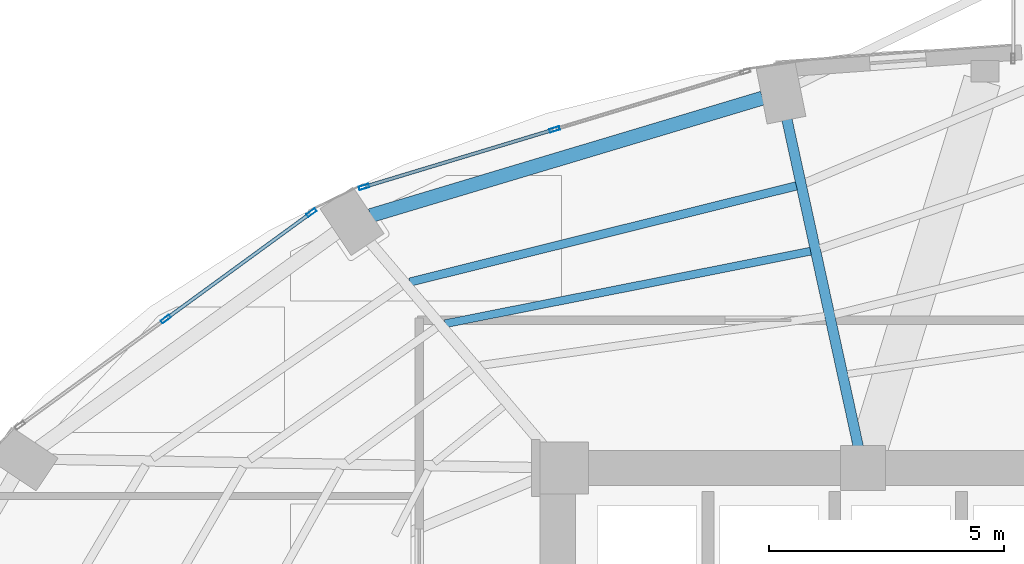
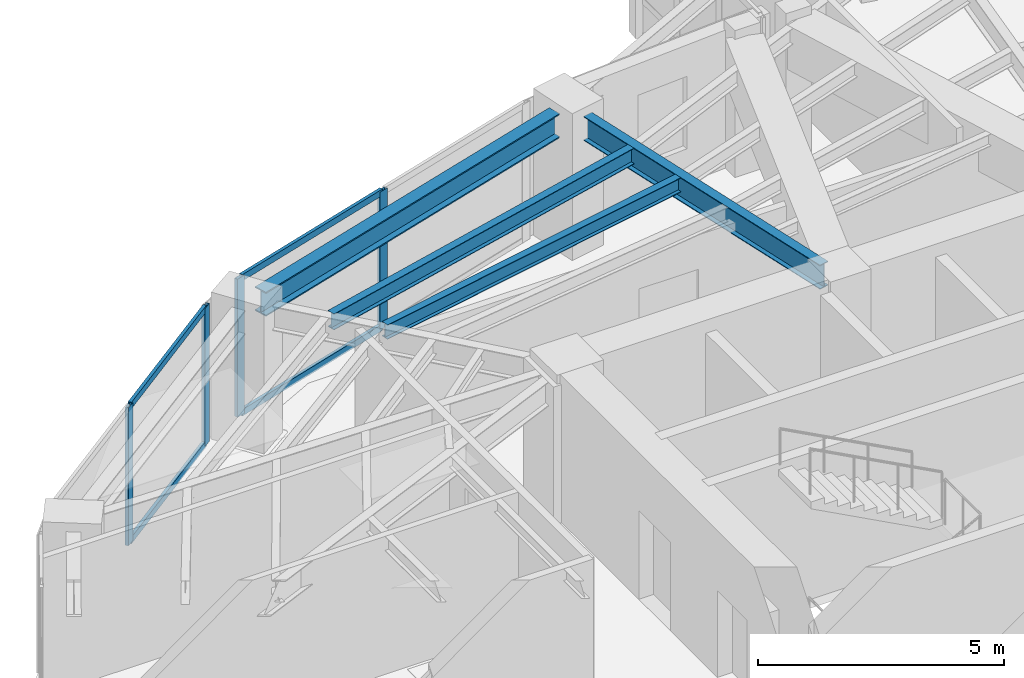
# One storey, part 14 of 24: 8 members, 4 beams, 2 elements without a shape of their own.
"""IFC4 building model written with IfcOpenShell, lengths in metres."""

import ifcopenshell
import ifcopenshell.guid

model = None  # the IFC model being written
_history = None  # IfcOwnerHistory: only IFC2X3 demands one
_inside = {}  # id of a spatial element -> (the spatial element, [elements in it])
_under = {}  # id of a project, library or spatial element -> (it, [spatial elements below it])
_declared = {}  # id of a project -> (the project, [libraries it declares])
_typed = {}  # id of a type object -> (the type object, [elements of that type])
_made_of = {}  # id of a material, layer set ... -> (it, [elements and type objects made of it])


def new_model(schema):
    """Start an empty IFC model of exactly this schema.

    Asked for "IFC4X3", IfcOpenShell would pick the latest addendum, in which some entities
    have other attributes; the version numbers below select the first issue.
    IFC2X3 requires an IfcOwnerHistory on every rooted entity: one is made here for all.
    """
    global model, _history
    if schema == "IFC4X3":
        model = ifcopenshell.file(schema_version=(4, 3, 0, 0))
    else:
        model = ifcopenshell.file(schema=schema)
    _inside.clear()
    _under.clear()
    _declared.clear()
    _typed.clear()
    _made_of.clear()
    _history = None
    if model.schema == "IFC2X3":
        org = make("IfcOrganization", Name="unknown")
        user = make(
            "IfcPersonAndOrganization",
            ThePerson=make("IfcPerson", FamilyName="unknown"),
            TheOrganization=org,
        )
        app = make(
            "IfcApplication",
            ApplicationDeveloper=org,
            Version="unknown",
            ApplicationFullName="unknown",
            ApplicationIdentifier="unknown",
        )
        _history = make(
            "IfcOwnerHistory",
            OwningUser=user,
            OwningApplication=app,
            ChangeAction="ADDED",
            CreationDate=0,
        )
    return model


def make(cls, **values):
    """One entity of the class cls with the attributes given. An attribute that is None is left unset."""
    return model.create_entity(
        cls, **{name: value for name, value in values.items() if value is not None}
    )


def rooted(cls, **values):
    """An entity with a GlobalId (a new one), such as an element, a storey or a relation."""
    return make(cls, GlobalId=ifcopenshell.guid.new(), OwnerHistory=_history, **values)


def si_unit(unit_type, name, prefix=None):
    """IfcSIUnit, for example si_unit("LENGTHUNIT", "METRE", prefix="MILLI")."""
    return make("IfcSIUnit", UnitType=unit_type, Prefix=prefix, Name=name)


def assignment(units):
    """IfcUnitAssignment: the units of a project."""
    return None if units is None else make("IfcUnitAssignment", Units=units)


def point(xyz):
    """IfcCartesianPoint."""
    return None if xyz is None else make("IfcCartesianPoint", Coordinates=xyz)


def direction(xyz):
    """IfcDirection."""
    return None if xyz is None else make("IfcDirection", DirectionRatios=xyz)


def frame(location, z_axis=None, x_axis=None):
    """IfcAxis2Placement3D, a coordinate frame: its origin and axes. An axis left out is left unset."""
    return make(
        "IfcAxis2Placement3D",
        Location=point(location),
        Axis=direction(z_axis),
        RefDirection=direction(x_axis),
    )


def frame_2d(location, x_axis=None):
    """IfcAxis2Placement2D, a coordinate frame in the plane: its origin and x axis."""
    return make(
        "IfcAxis2Placement2D", Location=point(location), RefDirection=direction(x_axis)
    )


def origin():
    """The frame at (0, 0, 0) with its axes left unset."""
    return frame((0.0, 0.0, 0.0))


def origin_2d():
    """The frame at (0, 0) in the plane with its x axis left unset."""
    return frame_2d((0.0, 0.0))


def place(relative_to, where):
    """IfcLocalPlacement: puts the frame where relative to a parent placement (None: the world)."""
    return make(
        "IfcLocalPlacement", PlacementRelTo=relative_to, RelativePlacement=where
    )


def context(
    kind, dimensions, precision=None, world=None, true_north=None, identifier=None
):
    """IfcGeometricRepresentationContext, for example the 3D "Model" context."""
    return make(
        "IfcGeometricRepresentationContext",
        ContextIdentifier=identifier,
        ContextType=kind,
        CoordinateSpaceDimension=dimensions,
        Precision=precision,
        WorldCoordinateSystem=world,
        TrueNorth=true_north,
    )


def subcontext(parent, identifier, kind, view, scale=None):
    """IfcGeometricRepresentationSubContext, for example "Body" below "Model"."""
    return make(
        "IfcGeometricRepresentationSubContext",
        ContextIdentifier=identifier,
        ContextType=kind,
        ParentContext=parent,
        TargetScale=scale,
        TargetView=view,
    )


def project(units=None, contexts=None):
    """IfcProject with its units and contexts."""
    return rooted(
        "IfcProject",
        Name="project",
        RepresentationContexts=contexts,
        UnitsInContext=assignment(units),
    )


def spatial(cls, under=None, at=None, **own):
    """A site, building, storey or space (cls), placed at a placement, below another one or the project."""
    s = rooted(cls, ObjectPlacement=at, **own)
    if under is not None:
        _under.setdefault(under.id(), (under, []))[1].append(s)
    return s


def profile(cls, at=None, kind="AREA", **sizes):
    """A parametric profile (cls). Its sizes go by their IFC names, for example OverallWidth=200.0."""
    return make(cls, ProfileType=kind, Position=at, **sizes)


def hollow_rectangle(**sizes):
    """IfcRectangleHollowProfileDef."""
    return profile("IfcRectangleHollowProfileDef", **sizes)


def i_section(**sizes):
    """IfcIShapeProfileDef."""
    return profile("IfcIShapeProfileDef", **sizes)


def extrude(swept, where, along, depth):
    """IfcExtrudedAreaSolid: the profile swept, set in the frame where, extruded along a direction by depth."""
    return make(
        "IfcExtrudedAreaSolid",
        SweptArea=swept,
        Position=where,
        ExtrudedDirection=direction(along),
        Depth=depth,
    )


def shape(context_of_items, identifier, shape_type, items):
    """IfcShapeRepresentation: the items that make up one representation, for example the "Body"."""
    return make(
        "IfcShapeRepresentation",
        ContextOfItems=context_of_items,
        RepresentationIdentifier=identifier,
        RepresentationType=shape_type,
        Items=items,
    )


def material(Name=None, Category=None):
    """IfcMaterial."""
    return make("IfcMaterial", Name=Name, Category=Category)


def layer(
    of_material, thickness, ventilated=None, Name=None, Category=None, Priority=None
):
    """IfcMaterialLayer: one layer of a wall or slab, of a material (None: an air gap)."""
    return make(
        "IfcMaterialLayer",
        Material=of_material,
        LayerThickness=thickness,
        IsVentilated=ventilated,
        Name=Name,
        Category=Category,
        Priority=Priority,
    )


def layer_set(layers, Name=None):
    """IfcMaterialLayerSet."""
    return make("IfcMaterialLayerSet", MaterialLayers=layers, LayerSetName=Name)


def material_profile(
    of_material, cross_section, Name=None, Category=None, Priority=None
):
    """IfcMaterialProfile: a cross section and its material."""
    return make(
        "IfcMaterialProfile",
        Name=Name,
        Material=of_material,
        Profile=cross_section,
        Priority=Priority,
        Category=Category,
    )


def profile_set(profiles, Name=None, composite=None):
    """IfcMaterialProfileSet."""
    return make(
        "IfcMaterialProfileSet",
        Name=Name,
        MaterialProfiles=profiles,
        CompositeProfile=composite,
    )


def made_of(thing, what):
    """Note that an element or type object is made of a material, layer set ...; save() writes the relation."""
    if what is not None:
        _made_of.setdefault(what.id(), (what, []))[1].append(thing)
    return thing


def type_object(cls, material=None, **own):
    """A type object (cls), such as IfcWallType, which elements share."""
    return made_of(rooted(cls, **own), material)


def element(
    cls,
    number,
    at=None,
    inside=None,
    cuts=None,
    type_object=None,
    material=None,
    context=None,
    identifier="Body",
    shape_type=None,
    held_by="IfcProductDefinitionShape",
    body=None,
    shapes=None,
    **own,
):
    """One element of the class cls, such as IfcWall. Its Tag is "e" and its number.

    at: its placement. inside: the storey or other place that contains it. cuts: it is an
    opening in that element (IfcRelVoidsElement). A single representation is given by context,
    identifier, shape_type and body (its items); several are given by shapes. held_by: the class
    of the entity that holds the representations. save() writes the other relations.
    """
    e = rooted(cls, Tag="e%d" % number, ObjectPlacement=at, **own)
    if body is not None:
        shapes = [shape(context, identifier, shape_type, body)]
    if shapes is not None:
        e.Representation = make(held_by, Representations=shapes)
    if inside is not None:
        _inside.setdefault(inside.id(), (inside, []))[1].append(e)
    if cuts is not None:
        rooted(
            "IfcRelVoidsElement", RelatingBuildingElement=cuts, RelatedOpeningElement=e
        )
    if type_object is not None:
        _typed.setdefault(type_object.id(), (type_object, []))[1].append(e)
    return made_of(e, material)


def aggregate(whole, parts):
    """IfcRelAggregates: a whole, such as a stair, and the parts it consists of."""
    return rooted("IfcRelAggregates", RelatingObject=whole, RelatedObjects=parts)


def save(model, path):
    """Write the relations noted so far, then the file.

    IfcRelAggregates (storeys below a building ...), IfcRelContainedInSpatialStructure (elements
    in a storey), IfcRelDefinesByType, IfcRelAssociatesMaterial and IfcRelDeclares: one each for
    every whole, place, type object, material and project.
    """
    for whole, parts in _under.values():
        aggregate(whole, parts)
    for where, things in _inside.values():
        rooted(
            "IfcRelContainedInSpatialStructure",
            RelatedElements=things,
            RelatingStructure=where,
        )
    for kind, things in _typed.values():
        rooted("IfcRelDefinesByType", RelatedObjects=things, RelatingType=kind)
    for what, things in _made_of.values():
        rooted("IfcRelAssociatesMaterial", RelatedObjects=things, RelatingMaterial=what)
    for by, libraries in _declared.values():
        rooted("IfcRelDeclares", RelatingContext=by, RelatedDefinitions=libraries)
    model.write(path)


model = new_model("IFC4")

# Units and contexts
model_context = context("Model", 3, precision=1e-05, world=origin(), true_north=direction((0.0, 1.0)))
body_context = subcontext(model_context, "Body", "Model", "MODEL_VIEW")
ifc_project = project(units=[si_unit("LENGTHUNIT", "METRE"), si_unit("AREAUNIT", "SQUARE_METRE"), si_unit("VOLUMEUNIT", "CUBIC_METRE"), si_unit("PLANEANGLEUNIT", "RADIAN"), si_unit("MASSUNIT", "GRAM", prefix="KILO")], contexts=[model_context])

# Site, building, storey
site_placement = place(None, origin())
site = spatial("IfcSite", under=ifc_project, at=site_placement, CompositionType="ELEMENT")
building_placement = place(site_placement, origin())
building = spatial("IfcBuilding", under=site, at=building_placement, Name="Lazwardi Medical Tower", CompositionType="ELEMENT")
storey_placement = place(building_placement, frame((0.0, 0.0, 99.98388671875)))
storey = spatial("IfcBuildingStorey", under=building, at=storey_placement, Name="L25", CompositionType="ELEMENT", Elevation=99.98388671875)

# Beams
ifc_material_1 = material(Name="Steel S355", Category="steel")
ifc_material_profile_1 = material_profile(ifc_material_1, i_section(OverallWidth=0.300048828125, OverallDepth=0.60009765625, WebThickness=0.015380859375, FlangeThickness=0.030029296875, at=origin_2d()), Name="HEB 600")
ifc_profile_set_1 = profile_set([ifc_material_profile_1], Name="Steel S355")
beam_type_1 = type_object("IfcBeamType", Name="BM-RB-Z2", PredefinedType="BEAM", material=ifc_profile_set_1)
beam_1_placement = place(storey_placement, frame((30.661865234375, 43.4794921875, 3.128173828125), z_axis=(-0.957879438442, -0.287170648587, 0.0), x_axis=(0.287170648587, -0.957879438442, 0.0)))
element("IfcBeam", 1, at=beam_1_placement, inside=storey, type_object=beam_type_1, Name="Ring beam RB-03 B09 L25", PredefinedType="BEAM", context=body_context, shape_type="SweptSolid", body=[
    extrude(i_section(OverallWidth=0.300048828125, OverallDepth=0.60009765625, WebThickness=0.015380859375, FlangeThickness=0.030029296875, at=origin_2d()), origin(), (0.0, 0.0, 1.0), 8.719970703125),
])
ifc_material_profile_2 = material_profile(ifc_material_1, i_section(OverallWidth=0.219970703125, OverallDepth=0.60009765625, WebThickness=0.011962890625, FlangeThickness=0.01904296875, at=origin_2d()), Name="IPE 600")
ifc_profile_set_2 = profile_set([ifc_material_profile_2], Name="Steel S355")
beam_type_2 = type_object("IfcBeamType", Name="BM-RG-W1", PredefinedType="BEAM", material=ifc_profile_set_2)
beam_2_placement = place(storey_placement, frame((31.17822265625, 43.03076171875, 3.128173828125), z_axis=(0.213228150441, -0.977002433907, 0.0), x_axis=(0.977002433907, 0.213228150441, 0.0)))
element("IfcBeam", 2, at=beam_2_placement, inside=storey, type_object=beam_type_2, Name="Radial girder RG-02 R09 L25", PredefinedType="BEAM", context=body_context, shape_type="SweptSolid", body=[
    extrude(i_section(OverallWidth=0.219970703125, OverallDepth=0.60009765625, WebThickness=0.011962890625, FlangeThickness=0.01904296875, at=origin_2d()), origin(), (0.0, 0.0, 1.0), 7.145751953125),
])
ifc_material_profile_3 = material_profile(ifc_material_1, i_section(OverallWidth=0.179931640625, OverallDepth=0.39990234375, WebThickness=0.008544921875, FlangeThickness=0.013427734375, at=origin_2d()), Name="IPE 400")
ifc_profile_set_3 = profile_set([ifc_material_profile_3], Name="Steel S355")
beam_type_3 = type_object("IfcBeamType", Name="BM-SJ-01", PredefinedType="JOIST", material=ifc_profile_set_3)
beam_3_placement = place(storey_placement, frame((31.381103515625, 41.609130859375, 3.22802734375), z_axis=(-0.970400881943, -0.241499748081, 0.0), x_axis=(0.241499748081, -0.970400881943, 0.0)))
element("IfcBeam", 3, at=beam_3_placement, inside=storey, type_object=beam_type_3, Name="Secondary joist SJ-01 R1 B09 L25", PredefinedType="JOIST", context=body_context, shape_type="SweptSolid", body=[
    extrude(i_section(OverallWidth=0.179931640625, OverallDepth=0.39990234375, WebThickness=0.008544921875, FlangeThickness=0.013427734375, at=origin_2d()), origin(), (0.0, 0.0, 1.0), 8.48583984375),
])
ifc_material_profile_4 = material_profile(ifc_material_1, i_section(OverallWidth=0.169921875, OverallDepth=0.360107421875, WebThickness=0.008056640625, FlangeThickness=0.0126953125, at=origin_2d()), Name="IPE 360")
ifc_profile_set_4 = profile_set([ifc_material_profile_4], Name="Steel S355")
beam_type_4 = type_object("IfcBeamType", Name="BM-SJ-02", PredefinedType="JOIST", material=ifc_profile_set_4)
beam_4_placement = place(storey_placement, frame((31.684814453125, 40.2177734375, 3.248046875), z_axis=(-0.980878853282, -0.194619308352, 0.0), x_axis=(0.194619308352, -0.980878853282, 0.0)))
element("IfcBeam", 4, at=beam_4_placement, inside=storey, type_object=beam_type_4, Name="Secondary joist SJ-02 R2 B09 L25", PredefinedType="JOIST", context=body_context, shape_type="SweptSolid", body=[
    extrude(i_section(OverallWidth=0.169921875, OverallDepth=0.360107421875, WebThickness=0.008056640625, FlangeThickness=0.0126953125, at=origin_2d()), origin(), (0.0, 0.0, 1.0), 7.93701171875),
])

# Curtain wall, members
ifc_material_2 = material(Name="Anodised bronze aluminium and solar control glazing", Category="aluminium")
ifc_layer = layer(ifc_material_2, 0.195068359375)
ifc_layer_set = layer_set([ifc_layer], Name="Anodised bronze aluminium and solar control glazing")
curtain_wall_type = type_object("IfcCurtainWallType", Name="CW-SYS-03", PredefinedType="NOTDEFINED", material=ifc_layer_set)
curtain_wall_1_placement = place(storey_placement, origin())
curtain_wall_1 = element("IfcCurtainWall", 5, at=curtain_wall_1_placement, inside=storey, type_object=curtain_wall_type, Name="L25 Unitised bronze curtain wall CW-03", PredefinedType="NOTDEFINED")
ifc_material_3 = material(Name="Anodised bronze aluminium", Category="aluminium")
ifc_material_profile_5 = material_profile(ifc_material_3, hollow_rectangle(XDim=0.074951171875, YDim=0.219970703125, WallThickness=0.00390625, at=origin_2d()), Name="ALU-MULLION 220x75x4")
ifc_profile_set_5 = profile_set([ifc_material_profile_5], Name="Anodised bronze aluminium")
member_type_1 = type_object("IfcMemberType", Name="CW-MUL-01", PredefinedType="MULLION", material=ifc_profile_set_5)
member_1_placement = place(storey_placement, frame((26.230712890625, 42.81298828125, 0.0), z_axis=(0.0, 0.0, 1.0), x_axis=(0.28937381157, -0.957216170558, 0.0)))
member_1 = element("IfcMember", 6, at=member_1_placement, type_object=member_type_1, Name="CW-03 mullion 2", PredefinedType="MULLION", context=body_context, shape_type="SweptSolid", body=[
    extrude(hollow_rectangle(XDim=0.074951171875, YDim=0.219970703125, WallThickness=0.00390625, at=origin_2d()), origin(), (0.0, 0.0, 1.0), 3.42822265625),
])
member_2_placement = place(storey_placement, frame((22.171630859375, 41.5859375, 0.0), z_axis=(0.0, 0.0, 1.0), x_axis=(0.28937381157, -0.957216170558, 0.0)))
member_2 = element("IfcMember", 7, at=member_2_placement, type_object=member_type_1, Name="CW-03 mullion 3", PredefinedType="MULLION", context=body_context, shape_type="SweptSolid", body=[
    extrude(hollow_rectangle(XDim=0.074951171875, YDim=0.219970703125, WallThickness=0.00390625, at=origin_2d()), origin(), (0.0, 0.0, 1.0), 3.42822265625),
])

curtain_wall_2_placement = place(storey_placement, origin())
curtain_wall_2 = element("IfcCurtainWall", 8, at=curtain_wall_2_placement, inside=storey, type_object=curtain_wall_type, Name="L25 Unitised bronze curtain wall CW-03", PredefinedType="NOTDEFINED")
member_3_placement = place(storey_placement, frame((21.052734375, 41.03955078125, 0.0), z_axis=(0.0, 0.0, 1.0), x_axis=(0.589530882802, -0.807745837639, 0.0)))
member_3 = element("IfcMember", 9, at=member_3_placement, type_object=member_type_1, Name="CW-03 mullion 1", PredefinedType="MULLION", context=body_context, shape_type="SweptSolid", body=[
    extrude(hollow_rectangle(XDim=0.074951171875, YDim=0.219970703125, WallThickness=0.00390625, at=origin_2d()), origin(), (0.0, 0.0, 1.0), 3.42822265625),
])
member_4_placement = place(storey_placement, frame((17.948974609375, 38.774169921875, 0.0), z_axis=(0.0, 0.0, 1.0), x_axis=(0.589530882802, -0.807745837639, 0.0)))
member_4 = element("IfcMember", 10, at=member_4_placement, type_object=member_type_1, Name="CW-03 mullion 2", PredefinedType="MULLION", context=body_context, shape_type="SweptSolid", body=[
    extrude(hollow_rectangle(XDim=0.074951171875, YDim=0.219970703125, WallThickness=0.00390625, at=origin_2d()), origin(), (0.0, 0.0, 1.0), 3.42822265625),
])

# Member
ifc_material_profile_6 = material_profile(ifc_material_3, hollow_rectangle(XDim=0.074951171875, YDim=0.159912109375, WallThickness=0.00390625, at=origin_2d()), Name="ALU-TRANSOM 160x75x4")
ifc_profile_set_6 = profile_set([ifc_material_profile_6], Name="Anodised bronze aluminium")
member_type_2 = type_object("IfcMemberType", Name="CW-TRN-01", PredefinedType="USERDEFINED", material=ifc_profile_set_6)
member_5_placement = place(storey_placement, frame((26.19482421875, 42.80224609375, 0.03759765625), z_axis=(-0.957220865985, -0.289358279168, 0.0), x_axis=(0.289358279168, -0.957220865985, 0.0)))
member_5 = element("IfcMember", 11, at=member_5_placement, type_object=member_type_2, Name="CW-03 transom 2.1", ObjectType="TRANSOM", PredefinedType="USERDEFINED", context=body_context, shape_type="SweptSolid", body=[
    extrude(hollow_rectangle(XDim=0.074951171875, YDim=0.159912109375, WallThickness=0.00390625, at=origin_2d()), origin(), (0.0, 0.0, 1.0), 4.16552734375),
])

member_6_placement = place(storey_placement, frame((26.19482421875, 42.80224609375, 3.390625), z_axis=(-0.957220865985, -0.289358279168, 0.0), x_axis=(0.289358279168, -0.957220865985, 0.0)))
member_6 = element("IfcMember", 12, at=member_6_placement, type_object=member_type_2, Name="CW-03 transom 2.2", ObjectType="TRANSOM", PredefinedType="USERDEFINED", context=body_context, shape_type="SweptSolid", body=[
    extrude(hollow_rectangle(XDim=0.074951171875, YDim=0.159912109375, WallThickness=0.00390625, at=origin_2d()), origin(), (0.0, 0.0, 1.0), 4.16552734375),
])

aggregate(curtain_wall_1, [member_1, member_2, member_5, member_6])

member_7_placement = place(storey_placement, frame((21.0224609375, 41.017578125, 0.03759765625), z_axis=(-0.807731734271, -0.589550206049, 0.0), x_axis=(0.589550206049, -0.807731734271, 0.0)))
member_7 = element("IfcMember", 13, at=member_7_placement, type_object=member_type_2, Name="CW-03 transom 1.1", ObjectType="TRANSOM", PredefinedType="USERDEFINED", context=body_context, shape_type="SweptSolid", body=[
    extrude(hollow_rectangle(XDim=0.074951171875, YDim=0.159912109375, WallThickness=0.00390625, at=origin_2d()), origin(), (0.0, 0.0, 1.0), 3.767578125),
])

member_8_placement = place(storey_placement, frame((21.0224609375, 41.017578125, 3.390625), z_axis=(-0.807731734271, -0.589550206049, 0.0), x_axis=(0.589550206049, -0.807731734271, 0.0)))
member_8 = element("IfcMember", 14, at=member_8_placement, type_object=member_type_2, Name="CW-03 transom 1.2", ObjectType="TRANSOM", PredefinedType="USERDEFINED", context=body_context, shape_type="SweptSolid", body=[
    extrude(hollow_rectangle(XDim=0.074951171875, YDim=0.159912109375, WallThickness=0.00390625, at=origin_2d()), origin(), (0.0, 0.0, 1.0), 3.767578125),
])

aggregate(curtain_wall_2, [member_3, member_4, member_7, member_8])

save(model, "model.ifc")
